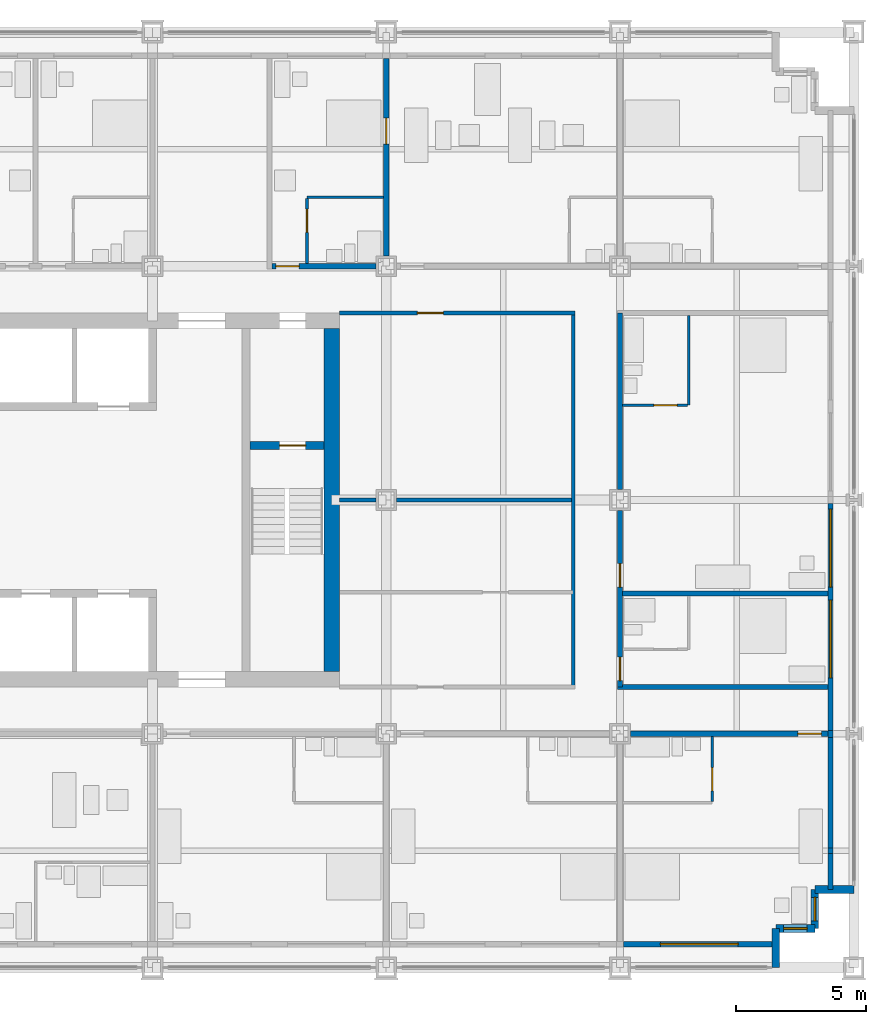
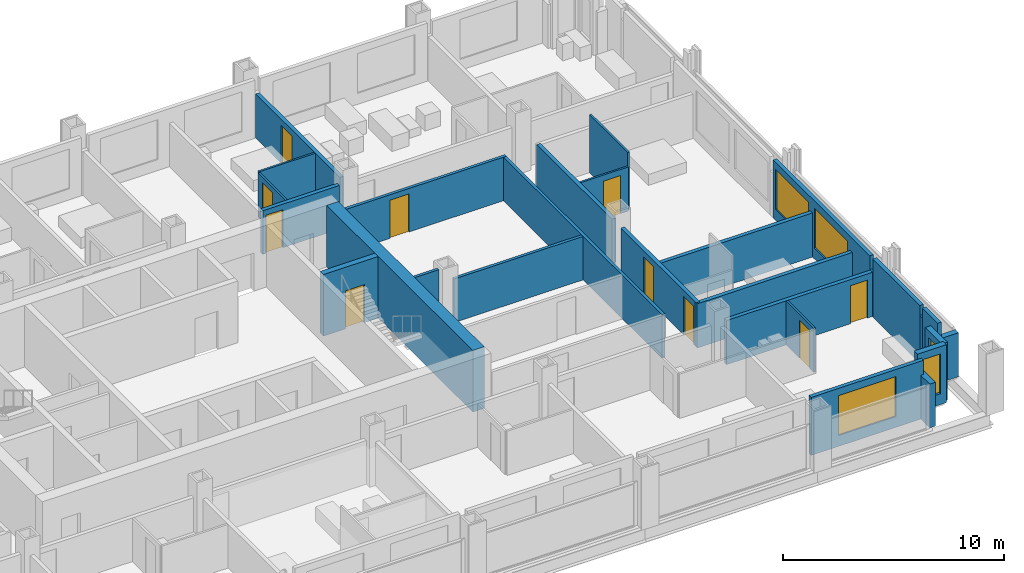
# One storey, part 13 of 18: 28 walls, 10 doors, 5 windows, 15 openings.
"""IFC4 building model written with IfcOpenShell, lengths in metres."""

from ifc_helpers import new_model, si_unit, direction, frame, frame_2d, origin, place, context, subcontext, project, spatial, rectangle, extrude, material, layer, layer_set, type_object, element, fill, save


model = new_model("IFC4")

# Units and contexts
model_context = context("Model", 3, precision=1e-05, world=origin(), true_north=direction((0.0, 1.0)))
body_context = subcontext(model_context, "Body", "Model", "MODEL_VIEW")
ifc_project = project(units=[si_unit("LENGTHUNIT", "METRE"), si_unit("AREAUNIT", "SQUARE_METRE"), si_unit("VOLUMEUNIT", "CUBIC_METRE"), si_unit("PLANEANGLEUNIT", "RADIAN"), si_unit("MASSUNIT", "GRAM", prefix="KILO")], contexts=[model_context])

# Site, building, storey
site_placement = place(None, origin())
site = spatial("IfcSite", under=ifc_project, at=site_placement, CompositionType="ELEMENT")
building_placement = place(site_placement, origin())
building = spatial("IfcBuilding", under=site, at=building_placement, Name="Loomwork Tower", CompositionType="ELEMENT")
storey_placement = place(building_placement, frame((0.0, 0.0, 45.0)))
storey = spatial("IfcBuildingStorey", under=building, at=storey_placement, Name="L10", CompositionType="ELEMENT", Elevation=45.0)

# Wall, opening, door
ifc_material_1 = material(Name="Concrete 14000 psi (97 MPa)", Category="concrete")
ifc_layer_1 = layer(ifc_material_1, 0.300048828125)
ifc_layer_set_1 = layer_set([ifc_layer_1], Name="Core shear wall 300")
wall_type_1 = type_object("IfcWallType", Name="Core shear wall 300", PredefinedType="SHEAR", material=ifc_layer_set_1)
wall_1_placement = place(storey_placement, frame((30.75, 20.10009765625, 0.0), z_axis=(0.0, 0.0, 1.0), x_axis=(1.0, 0.0, 0.0)))
wall_1 = element("IfcWall", 1, at=wall_1_placement, inside=storey, type_object=wall_type_1, Name="Stair B north wall L10", PredefinedType="SHEAR", context=body_context, shape_type="SweptSolid", body=[
    extrude(rectangle(XDim=2.85009765625, YDim=0.300048828125, at=frame_2d((1.425048828125, 0.0))), origin(), (0.0, 0.0, 1.0), 3.39990234375),
])
opening_1_placement = place(wall_1_placement, frame((1.14990234375, 0.0, 0.0)))
opening_1 = element("IfcOpeningElement", 2, at=opening_1_placement, cuts=wall_1, Name="Opening D4", PredefinedType="OPENING", context=body_context, shape_type="SweptSolid", body=[
    extrude(rectangle(XDim=1.0, YDim=2.10009765625, at=frame_2d((0.5, 1.050048828125))), frame((0.0, 0.159912109375, 0.0), z_axis=(0.0, -1.0, 0.0), x_axis=(1.0, 0.0, 0.0)), (0.0, 0.0, 1.0), 0.320068359375),
])
ifc_material_2 = material(Name="Hollow metal door and frame")
door_type_1 = type_object("IfcDoorType", Name="Stair door 1000", OperationType="SINGLE_SWING_RIGHT", PredefinedType="DOOR", material=ifc_material_2)
door_1_placement = place(opening_1_placement, frame((1.0, 0.0, 0.0), z_axis=(0.0, 0.0, 1.0), x_axis=(-1.0, 0.0, 0.0)))
door_1 = element("IfcDoor", 3, at=door_1_placement, inside=storey, type_object=door_type_1, Name="Stair B door", OperationType="SINGLE_SWING_LEFT", OverallHeight=2.10009765625, OverallWidth=1.0, PredefinedType="DOOR", context=body_context, shape_type="SweptSolid", body=[
    extrude(rectangle(XDim=1.0, YDim=2.10009765625, at=frame_2d((0.5, 1.050048828125))), frame((0.0, 0.02490234375, 0.0), z_axis=(0.0, -1.0, 0.0), x_axis=(1.0, 0.0, 0.0)), (0.0, 0.0, 1.0), 0.050048828125),
])
fill(opening_1, door_1)

# Wall
ifc_material_3 = material(Name="Concrete 14000 psi (97 MPa)", Category="concrete")
ifc_layer_2 = layer(ifc_material_3, 0.60009765625)
ifc_layer_set_2 = layer_set([ifc_layer_2], Name="Core shear wall 600")
wall_type_2 = type_object("IfcWallType", Name="Core shear wall 600", PredefinedType="SHEAR", material=ifc_layer_set_2)
wall_2_placement = place(storey_placement, frame((33.89990234375, 11.39990234375, 0.0), z_axis=(0.0, 0.0, 1.0), x_axis=(0.0, 1.0, 0.0)))
element("IfcWall", 4, at=wall_2_placement, inside=storey, type_object=wall_type_2, Name="Core wall east L10", PredefinedType="SHEAR", context=body_context, shape_type="SweptSolid", body=[
    extrude(rectangle(XDim=13.2001953125, YDim=0.60009765625, at=frame_2d((6.60009765625, 0.0))), origin(), (0.0, 0.0, 1.0), 3.39990234375),
])

# Wall, opening, door
ifc_material_4 = material(Name="Gypsum board on steel studs, one-hour", Category="steel")
ifc_layer_3 = layer(ifc_material_4, 0.199951171875)
ifc_layer_set_3 = layer_set([ifc_layer_3], Name="Corridor wall 200")
wall_type_3 = type_object("IfcWallType", Name="Corridor wall 200", PredefinedType="PARTITIONING", material=ifc_layer_set_3)
wall_3_placement = place(storey_placement, frame((45.39990234375, 9.0, 0.0), z_axis=(0.0, 0.0, 1.0), x_axis=(1.0, 0.0, 0.0)))
wall_3 = element("IfcWall", 5, at=wall_3_placement, inside=storey, type_object=wall_type_3, Name="South corridor wall 6", PredefinedType="PARTITIONING", context=body_context, shape_type="SweptSolid", body=[
    extrude(rectangle(XDim=7.60009765625, YDim=0.199951171875, at=frame_2d((3.800048828125, 0.0))), origin(), (0.0, 0.0, 1.0), 2.43798828125),
])
opening_2_placement = place(wall_3_placement, frame((6.449951171875, 0.0, 0.0)))
opening_2 = element("IfcOpeningElement", 6, at=opening_2_placement, cuts=wall_3, Name="Opening D1", PredefinedType="OPENING", context=body_context, shape_type="SweptSolid", body=[
    extrude(rectangle(XDim=0.89990234375, YDim=2.10009765625, at=frame_2d((0.449951171875, 1.050048828125))), frame((0.0, 0.10986328125, 0.0), z_axis=(0.0, -1.0, 0.0), x_axis=(1.0, 0.0, 0.0)), (0.0, 0.0, 1.0), 0.219970703125),
])
ifc_material_5 = material(Name="Hollow metal door and frame")
door_type_2 = type_object("IfcDoorType", Name="Guest room entry door 900", OperationType="SINGLE_SWING_LEFT", PredefinedType="DOOR", material=ifc_material_5)
door_2_placement = place(opening_2_placement, frame((0.89990234375, 0.0, 0.0), z_axis=(0.0, 0.0, 1.0), x_axis=(-1.0, 0.0, 0.0)))
door_2 = element("IfcDoor", 7, at=door_2_placement, inside=storey, type_object=door_type_2, Name="Guest room entry door L10 6", OperationType="SINGLE_SWING_LEFT", OverallHeight=2.10009765625, OverallWidth=0.89990234375, PredefinedType="DOOR", context=body_context, shape_type="SweptSolid", body=[
    extrude(rectangle(XDim=0.89990234375, YDim=2.10009765625, at=frame_2d((0.449951171875, 1.050048828125))), frame((0.0, 0.02490234375, 0.0), z_axis=(0.0, -1.0, 0.0), x_axis=(1.0, 0.0, 0.0)), (0.0, 0.0, 1.0), 0.050048828125),
])
fill(opening_2, door_2)

wall_4_placement = place(storey_placement, frame((31.60009765625, 27.0, 0.0), z_axis=(0.0, 0.0, 1.0), x_axis=(1.0, 0.0, 0.0)))
wall_4 = element("IfcWall", 8, at=wall_4_placement, inside=storey, type_object=wall_type_3, Name="North corridor wall 4", PredefinedType="PARTITIONING", context=body_context, shape_type="SweptSolid", body=[
    extrude(rectangle(XDim=4.0, YDim=0.199951171875, at=frame_2d((2.0, 0.0))), origin(), (0.0, 0.0, 1.0), 2.405029296875),
])
opening_3_placement = place(wall_4_placement, frame((0.14990234375, 0.0, 0.0)))
opening_3 = element("IfcOpeningElement", 9, at=opening_3_placement, cuts=wall_4, Name="Opening D1", PredefinedType="OPENING", context=body_context, shape_type="SweptSolid", body=[
    extrude(rectangle(XDim=0.89990234375, YDim=2.10009765625, at=frame_2d((0.449951171875, 1.050048828125))), frame((0.0, 0.10986328125, 0.0), z_axis=(0.0, -1.0, 0.0), x_axis=(1.0, 0.0, 0.0)), (0.0, 0.0, 1.0), 0.219970703125),
])
door_3_placement = place(opening_3_placement, origin())
door_3 = element("IfcDoor", 10, at=door_3_placement, inside=storey, type_object=door_type_2, Name="Guest room entry door L10 11", OperationType="SINGLE_SWING_LEFT", OverallHeight=2.10009765625, OverallWidth=0.89990234375, PredefinedType="DOOR", context=body_context, shape_type="SweptSolid", body=[
    extrude(rectangle(XDim=0.89990234375, YDim=2.10009765625, at=frame_2d((0.449951171875, 1.050048828125))), frame((0.0, 0.02490234375, 0.0), z_axis=(0.0, -1.0, 0.0), x_axis=(1.0, 0.0, 0.0)), (0.0, 0.0, 1.0), 0.050048828125),
])
fill(opening_3, door_3)

# Wall, openings, doors
wall_5_placement = place(storey_placement, frame((45.0, 10.800048828125, 0.0), z_axis=(0.0, 0.0, 1.0), x_axis=(0.0, 1.0, 0.0)))
wall_5 = element("IfcWall", 11, at=wall_5_placement, inside=storey, type_object=wall_type_3, Name="East corridor wall 1", PredefinedType="PARTITIONING", context=body_context, shape_type="SweptSolid", body=[
    extrude(rectangle(XDim=6.800048828125, YDim=0.199951171875, at=frame_2d((3.39990234375, 0.0))), origin(), (0.0, 0.0, 1.0), 2.43798828125),
])
opening_4_placement = place(wall_5_placement, frame((0.25, 0.0, 0.0)))
opening_4 = element("IfcOpeningElement", 12, at=opening_4_placement, cuts=wall_5, Name="Opening D1", PredefinedType="OPENING", context=body_context, shape_type="SweptSolid", body=[
    extrude(rectangle(XDim=0.89990234375, YDim=2.10009765625, at=frame_2d((0.449951171875, 1.050048828125))), frame((0.0, 0.10986328125, 0.0), z_axis=(0.0, -1.0, 0.0), x_axis=(1.0, 0.0, 0.0)), (0.0, 0.0, 1.0), 0.219970703125),
])
opening_5_placement = place(wall_5_placement, frame((3.85009765625, 0.0, 0.0)))
opening_5 = element("IfcOpeningElement", 13, at=opening_5_placement, cuts=wall_5, Name="Opening D1", PredefinedType="OPENING", context=body_context, shape_type="SweptSolid", body=[
    extrude(rectangle(XDim=0.89990234375, YDim=2.10009765625, at=frame_2d((0.449951171875, 1.050048828125))), frame((0.0, 0.10986328125, 0.0), z_axis=(0.0, -1.0, 0.0), x_axis=(1.0, 0.0, 0.0)), (0.0, 0.0, 1.0), 0.219970703125),
])
door_4_placement = place(opening_4_placement, frame((0.89990234375, 0.0, 0.0), z_axis=(0.0, 0.0, 1.0), x_axis=(-1.0, 0.0, 0.0)))
door_4 = element("IfcDoor", 14, at=door_4_placement, inside=storey, type_object=door_type_2, Name="Guest room entry door L10 16", OperationType="SINGLE_SWING_RIGHT", OverallHeight=2.10009765625, OverallWidth=0.89990234375, PredefinedType="DOOR", context=body_context, shape_type="SweptSolid", body=[
    extrude(rectangle(XDim=0.89990234375, YDim=2.10009765625, at=frame_2d((0.449951171875, 1.050048828125))), frame((0.0, 0.02490234375, 0.0), z_axis=(0.0, -1.0, 0.0), x_axis=(1.0, 0.0, 0.0)), (0.0, 0.0, 1.0), 0.050048828125),
])
fill(opening_4, door_4)
door_5_placement = place(opening_5_placement, frame((0.89990234375, 0.0, 0.0), z_axis=(0.0, 0.0, 1.0), x_axis=(-1.0, 0.0, 0.0)))
door_5 = element("IfcDoor", 15, at=door_5_placement, inside=storey, type_object=door_type_2, Name="Guest room entry door L10 17", OperationType="SINGLE_SWING_RIGHT", OverallHeight=2.10009765625, OverallWidth=0.89990234375, PredefinedType="DOOR", context=body_context, shape_type="SweptSolid", body=[
    extrude(rectangle(XDim=0.89990234375, YDim=2.10009765625, at=frame_2d((0.449951171875, 1.050048828125))), frame((0.0, 0.02490234375, 0.0), z_axis=(0.0, -1.0, 0.0), x_axis=(1.0, 0.0, 0.0)), (0.0, 0.0, 1.0), 0.050048828125),
])
fill(opening_5, door_5)

# Walls
wall_6_placement = place(storey_placement, frame((45.0, 18.39990234375, 0.0), z_axis=(0.0, 0.0, 1.0), x_axis=(0.0, 1.0, 0.0)))
element("IfcWall", 16, at=wall_6_placement, inside=storey, type_object=wall_type_3, Name="East corridor wall 2", PredefinedType="PARTITIONING", context=body_context, shape_type="SweptSolid", body=[
    extrude(rectangle(XDim=6.800048828125, YDim=0.199951171875, at=frame_2d((3.39990234375, 0.0))), origin(), (0.0, 0.0, 1.0), 2.43798828125),
])
wall_7_placement = place(storey_placement, frame((44.89990234375, 10.800048828125, 0.0), z_axis=(0.0, 0.0, 1.0), x_axis=(1.0, 0.0, 0.0)))
element("IfcWall", 17, at=wall_7_placement, inside=storey, type_object=wall_type_3, Name="East band end wall S", PredefinedType="PARTITIONING", context=body_context, shape_type="SweptSolid", body=[
    extrude(rectangle(XDim=8.10009765625, YDim=0.199951171875, at=frame_2d((4.050048828125, 0.0))), origin(), (0.0, 0.0, 1.0), 2.43798828125),
])

# Wall, opening, door
ifc_material_6 = material(Name="Cement board on steel studs", Category="steel")
ifc_layer_4 = layer(ifc_material_6, 0.10009765625)
ifc_layer_set_4 = layer_set([ifc_layer_4], Name="En-suite partition 100")
wall_type_4 = type_object("IfcWallType", Name="En-suite partition 100", PredefinedType="PARTITIONING", material=ifc_layer_set_4)
wall_8_placement = place(storey_placement, frame((48.550048828125, 8.89990234375, 0.0), z_axis=(0.0, 0.0, 1.0), x_axis=(0.0, -1.0, 0.0)))
wall_8 = element("IfcWall", 18, at=wall_8_placement, inside=storey, type_object=wall_type_4, Name="En-suite side wall L10 room 6", PredefinedType="PARTITIONING", context=body_context, shape_type="SweptSolid", body=[
    extrude(rectangle(XDim=2.5, YDim=0.10009765625, at=frame_2d((1.25, 0.0))), origin(), (0.0, 0.0, 1.0), 2.43798828125),
])
opening_6_placement = place(wall_8_placement, frame((1.199951171875, 0.0, 0.0)))
opening_6 = element("IfcOpeningElement", 19, at=opening_6_placement, cuts=wall_8, Name="Opening D2", PredefinedType="OPENING", context=body_context, shape_type="SweptSolid", body=[
    extrude(rectangle(XDim=0.89990234375, YDim=2.10009765625, at=frame_2d((0.449951171875, 1.050048828125))), frame((0.0, 0.06005859375, 0.0), z_axis=(0.0, -1.0, 0.0), x_axis=(1.0, 0.0, 0.0)), (0.0, 0.0, 1.0), 0.1201171875),
])
ifc_material_7 = material(Name="Hollow metal door and frame")
door_type_3 = type_object("IfcDoorType", Name="En-suite door 900", OperationType="SINGLE_SWING_LEFT", PredefinedType="DOOR", material=ifc_material_7)
door_6_placement = place(opening_6_placement, frame((0.89990234375, 0.0, 0.0), z_axis=(0.0, 0.0, 1.0), x_axis=(-1.0, 0.0, 0.0)))
door_6 = element("IfcDoor", 20, at=door_6_placement, inside=storey, type_object=door_type_3, Name="En-suite door room 6", OperationType="SINGLE_SWING_LEFT", OverallHeight=2.10009765625, OverallWidth=0.89990234375, PredefinedType="DOOR", context=body_context, shape_type="SweptSolid", body=[
    extrude(rectangle(XDim=0.89990234375, YDim=2.10009765625, at=frame_2d((0.449951171875, 1.050048828125))), frame((0.0, 0.02490234375, 0.0), z_axis=(0.0, -1.0, 0.0), x_axis=(1.0, 0.0, 0.0)), (0.0, 0.0, 1.0), 0.050048828125),
])
fill(opening_6, door_6)

# Wall
wall_9_placement = place(storey_placement, frame((32.949951171875, 29.64990234375, 0.0), z_axis=(0.0, 0.0, 1.0), x_axis=(1.0, 0.0, 0.0)))
element("IfcWall", 21, at=wall_9_placement, inside=storey, type_object=wall_type_4, Name="En-suite wall L10 room 11", PredefinedType="PARTITIONING", context=body_context, shape_type="SweptSolid", body=[
    extrude(rectangle(XDim=2.949951171875, YDim=0.10009765625, at=frame_2d((1.47509765625, 0.0))), origin(), (0.0, 0.0, 1.0), 2.43798828125),
])

# Wall, opening, door
wall_10_placement = place(storey_placement, frame((32.949951171875, 27.10009765625, 0.0), z_axis=(0.0, 0.0, 1.0), x_axis=(0.0, 1.0, 0.0)))
wall_10 = element("IfcWall", 22, at=wall_10_placement, inside=storey, type_object=wall_type_4, Name="En-suite side wall L10 room 11", PredefinedType="PARTITIONING", context=body_context, shape_type="SweptSolid", body=[
    extrude(rectangle(XDim=2.5, YDim=0.10009765625, at=frame_2d((1.25, 0.0))), origin(), (0.0, 0.0, 1.0), 2.404052734375),
])
opening_7_placement = place(wall_10_placement, frame((1.199951171875, 0.0, 0.0)))
opening_7 = element("IfcOpeningElement", 23, at=opening_7_placement, cuts=wall_10, Name="Opening D2", PredefinedType="OPENING", context=body_context, shape_type="SweptSolid", body=[
    extrude(rectangle(XDim=0.89990234375, YDim=2.10009765625, at=frame_2d((0.449951171875, 1.050048828125))), frame((0.0, 0.06005859375, 0.0), z_axis=(0.0, -1.0, 0.0), x_axis=(1.0, 0.0, 0.0)), (0.0, 0.0, 1.0), 0.1201171875),
])
door_7_placement = place(opening_7_placement, frame((0.89990234375, 0.0, 0.0), z_axis=(0.0, 0.0, 1.0), x_axis=(-1.0, 0.0, 0.0)))
door_7 = element("IfcDoor", 24, at=door_7_placement, inside=storey, type_object=door_type_3, Name="En-suite door room 11", OperationType="SINGLE_SWING_LEFT", OverallHeight=2.10009765625, OverallWidth=0.89990234375, PredefinedType="DOOR", context=body_context, shape_type="SweptSolid", body=[
    extrude(rectangle(XDim=0.89990234375, YDim=2.10009765625, at=frame_2d((0.449951171875, 1.050048828125))), frame((0.0, 0.02490234375, 0.0), z_axis=(0.0, -1.0, 0.0), x_axis=(1.0, 0.0, 0.0)), (0.0, 0.0, 1.0), 0.050048828125),
])
fill(opening_7, door_7)

# Wall
wall_11_placement = place(storey_placement, frame((47.64990234375, 21.64990234375, 0.0), z_axis=(0.0, 0.0, 1.0), x_axis=(0.0, 1.0, 0.0)))
element("IfcWall", 25, at=wall_11_placement, inside=storey, type_object=wall_type_4, Name="En-suite wall L10 room 17", PredefinedType="PARTITIONING", context=body_context, shape_type="SweptSolid", body=[
    extrude(rectangle(XDim=3.4501953125, YDim=0.10009765625, at=frame_2d((1.72509765625, 0.0))), origin(), (0.0, 0.0, 1.0), 3.199951171875),
])

# Wall, opening, door
wall_12_placement = place(storey_placement, frame((45.10009765625, 21.64990234375, 0.0), z_axis=(0.0, 0.0, 1.0), x_axis=(1.0, 0.0, 0.0)))
wall_12 = element("IfcWall", 26, at=wall_12_placement, inside=storey, type_object=wall_type_4, Name="En-suite side wall L10 room 17", PredefinedType="PARTITIONING", context=body_context, shape_type="SweptSolid", body=[
    extrude(rectangle(XDim=2.5, YDim=0.10009765625, at=frame_2d((1.25, 0.0))), origin(), (0.0, 0.0, 1.0), 2.43798828125),
])
opening_8_placement = place(wall_12_placement, frame((1.199951171875, 0.0, 0.0)))
opening_8 = element("IfcOpeningElement", 27, at=opening_8_placement, cuts=wall_12, Name="Opening D2", PredefinedType="OPENING", context=body_context, shape_type="SweptSolid", body=[
    extrude(rectangle(XDim=0.89990234375, YDim=2.10009765625, at=frame_2d((0.449951171875, 1.050048828125))), frame((0.0, 0.06005859375, 0.0), z_axis=(0.0, -1.0, 0.0), x_axis=(1.0, 0.0, 0.0)), (0.0, 0.0, 1.0), 0.1201171875),
])
door_8_placement = place(opening_8_placement, origin())
door_8 = element("IfcDoor", 28, at=door_8_placement, inside=storey, type_object=door_type_3, Name="En-suite door room 17", OperationType="SINGLE_SWING_RIGHT", OverallHeight=2.10009765625, OverallWidth=0.89990234375, PredefinedType="DOOR", context=body_context, shape_type="SweptSolid", body=[
    extrude(rectangle(XDim=0.89990234375, YDim=2.10009765625, at=frame_2d((0.449951171875, 1.050048828125))), frame((0.0, 0.02490234375, 0.0), z_axis=(0.0, -1.0, 0.0), x_axis=(1.0, 0.0, 0.0)), (0.0, 0.0, 1.0), 0.050048828125),
])
fill(opening_8, door_8)

ifc_material_8 = material(Name="Gypsum board on steel studs, acoustic", Category="steel")
ifc_layer_5 = layer(ifc_material_8, 0.199951171875)
ifc_layer_set_5 = layer_set([ifc_layer_5], Name="Guest room party wall 200")
wall_type_5 = type_object("IfcWallType", Name="Guest room party wall 200", PredefinedType="PARTITIONING", material=ifc_layer_set_5)
wall_13_placement = place(storey_placement, frame((36.0, 27.39990234375, 0.0), z_axis=(0.0, 0.0, 1.0), x_axis=(0.0, 1.0, 0.0)))
wall_13 = element("IfcWall", 29, at=wall_13_placement, inside=storey, type_object=wall_type_5, Name="Guest room party wall N 36", PredefinedType="PARTITIONING", context=body_context, shape_type="SweptSolid", body=[
    extrude(rectangle(XDim=7.60009765625, YDim=0.199951171875, at=frame_2d((3.800048828125, 0.0))), origin(), (0.0, 0.0, 1.0), 2.43798828125),
])
opening_9_placement = place(wall_13_placement, frame((4.300048828125, 0.0, 0.0)))
opening_9 = element("IfcOpeningElement", 30, at=opening_9_placement, cuts=wall_13, Name="Opening D7", PredefinedType="OPENING", context=body_context, shape_type="SweptSolid", body=[
    extrude(rectangle(XDim=1.0, YDim=2.10009765625, at=frame_2d((0.5, 1.050048828125))), frame((0.0, 0.10986328125, 0.0), z_axis=(0.0, -1.0, 0.0), x_axis=(1.0, 0.0, 0.0)), (0.0, 0.0, 1.0), 0.219970703125),
])
ifc_material_9 = material(Name="Hollow metal door and frame")
door_type_4 = type_object("IfcDoorType", Name="Room door 1000", OperationType="SINGLE_SWING_LEFT", PredefinedType="DOOR", material=ifc_material_9)
door_9_placement = place(opening_9_placement, origin())
door_9 = element("IfcDoor", 31, at=door_9_placement, inside=storey, type_object=door_type_4, Name="Suite connecting door L10 N 36", OperationType="SINGLE_SWING_LEFT", OverallHeight=2.10009765625, OverallWidth=1.0, PredefinedType="DOOR", context=body_context, shape_type="SweptSolid", body=[
    extrude(rectangle(XDim=1.0, YDim=2.10009765625, at=frame_2d((0.5, 1.050048828125))), frame((0.0, 0.02490234375, 0.0), z_axis=(0.0, -1.0, 0.0), x_axis=(1.0, 0.0, 0.0)), (0.0, 0.0, 1.0), 0.050048828125),
])
fill(opening_9, door_9)

# Walls
wall_14_placement = place(storey_placement, frame((45.10009765625, 14.39990234375, 0.0), z_axis=(0.0, 0.0, 1.0), x_axis=(1.0, 0.0, 0.0)))
element("IfcWall", 32, at=wall_14_placement, inside=storey, type_object=wall_type_5, Name="Guest room party wall E 14.4", PredefinedType="PARTITIONING", context=body_context, shape_type="SweptSolid", body=[
    extrude(rectangle(XDim=7.89990234375, YDim=0.199951171875, at=frame_2d((3.949951171875, 0.0))), origin(), (0.0, 0.0, 1.0), 2.43798828125),
])
ifc_material_10 = material(Name="Insulated steel stud wall with gypsum lining", Category="steel")
ifc_layer_6 = layer(ifc_material_10, 0.199951171875)
ifc_layer_set_6 = layer_set([ifc_layer_6], Name="Inner skin wall 200")
wall_type_6 = type_object("IfcWallType", Name="Inner skin wall 200", PredefinedType="SOLIDWALL", material=ifc_layer_set_6)
wall_15_placement = place(storey_placement, frame((53.10009765625, 3.0, 0.0), z_axis=(0.0, 0.0, 1.0), x_axis=(0.0, 1.0, 0.0)))
element("IfcWall", 33, at=wall_15_placement, inside=storey, type_object=wall_type_6, Name="Inner skin wall E", PredefinedType="SOLIDWALL", context=body_context, shape_type="SweptSolid", body=[
    extrude(rectangle(XDim=1.392578125, YDim=0.199951171875, at=frame_2d((0.6962890625, 0.0))), origin(), (0.0, 0.0, 1.0), 3.199951171875),
])

# Wall, opening, window
wall_16_placement = place(storey_placement, frame((45.135498046875, 0.89990234375, 0.0), z_axis=(0.0, 0.0, 1.0), x_axis=(1.0, 0.0, 0.0)))
wall_16 = element("IfcWall", 34, at=wall_16_placement, inside=storey, type_object=wall_type_6, Name="Inner skin wall S bay 11", PredefinedType="SOLIDWALL", context=body_context, shape_type="SweptSolid", body=[
    extrude(rectangle(XDim=5.864501953125, YDim=0.199951171875, at=frame_2d((2.93212890625, 0.0))), origin(), (0.0, 0.0, 1.0), 3.199951171875),
])
opening_10_placement = place(wall_16_placement, frame((1.41455078125, 0.0, 0.60009765625)))
opening_10 = element("IfcOpeningElement", 35, at=opening_10_placement, cuts=wall_16, Name="Opening CH1", PredefinedType="OPENING", context=body_context, shape_type="SweptSolid", body=[
    extrude(rectangle(XDim=3.0, YDim=2.199951171875, at=frame_2d((1.5, 1.10009765625))), frame((0.0, 0.10986328125, 0.0), z_axis=(0.0, -1.0, 0.0), x_axis=(1.0, 0.0, 0.0)), (0.0, 0.0, 1.0), 0.219970703125),
])
ifc_material_11 = material(Name="Aluminium frame with clear insulated glass", Category="aluminium")
window_type_1 = type_object("IfcWindowType", Name="Chicago window 3000", PartitioningType="TRIPLE_PANEL_VERTICAL", PredefinedType="WINDOW", material=ifc_material_11)
window_1_placement = place(opening_10_placement, origin())
window_1 = element("IfcWindow", 36, at=window_1_placement, inside=storey, type_object=window_type_1, Name="Chicago window L10 bay 6", OverallHeight=2.199951171875, OverallWidth=3.0, PartitioningType="TRIPLE_PANEL_VERTICAL", PredefinedType="WINDOW", context=body_context, shape_type="SweptSolid", body=[
    extrude(rectangle(XDim=3.0, YDim=2.199951171875, at=frame_2d((1.5, 1.10009765625))), frame((0.0, 0.030029296875, 0.0), z_axis=(0.0, -1.0, 0.0), x_axis=(1.0, 0.0, 0.0)), (0.0, 0.0, 1.0), 0.06005859375),
])
fill(opening_10, window_1)

# Walls
wall_17_placement = place(storey_placement, frame((53.10009765625, 4.392578125, 0.0), z_axis=(0.0, 0.0, 1.0), x_axis=(0.0, 1.0, 0.0)))
element("IfcWall", 37, at=wall_17_placement, inside=storey, type_object=wall_type_6, Name="Inner skin wall E bay 2", PredefinedType="SOLIDWALL", context=body_context, shape_type="SweptSolid", body=[
    extrude(rectangle(XDim=0.21484375, YDim=0.199951171875, at=frame_2d((0.107421875, 0.0))), origin(), (0.0, 0.0, 1.0), 2.660888671875),
])
wall_18_placement = place(storey_placement, frame((53.10009765625, 4.607421875, 0.0), z_axis=(0.0, 0.0, 1.0), x_axis=(0.0, 1.0, 0.0)))
element("IfcWall", 38, at=wall_18_placement, inside=storey, type_object=wall_type_6, Name="Inner skin wall E bay 3", PredefinedType="SOLIDWALL", context=body_context, shape_type="SweptSolid", body=[
    extrude(rectangle(XDim=4.25732421875, YDim=0.199951171875, at=frame_2d((2.128662109375, 0.0))), origin(), (0.0, 0.0, 1.0), 3.199951171875),
])
wall_19_placement = place(storey_placement, frame((53.10009765625, 8.86474609375, 0.0), z_axis=(0.0, 0.0, 1.0), x_axis=(0.0, 1.0, 0.0)))
element("IfcWall", 39, at=wall_19_placement, inside=storey, type_object=wall_type_6, Name="Inner skin wall E bay 4", PredefinedType="SOLIDWALL", context=body_context, shape_type="SweptSolid", body=[
    extrude(rectangle(XDim=0.2705078125, YDim=0.199951171875, at=frame_2d((0.13525390625, 0.0))), origin(), (0.0, 0.0, 1.0), 2.43798828125),
])

# Wall, openings, windows
wall_20_placement = place(storey_placement, frame((53.10009765625, 9.13525390625, 0.0), z_axis=(0.0, 0.0, 1.0), x_axis=(0.0, 1.0, 0.0)))
wall_20 = element("IfcWall", 40, at=wall_20_placement, inside=storey, type_object=wall_type_6, Name="Inner skin wall E bay 5", PredefinedType="SOLIDWALL", context=body_context, shape_type="SweptSolid", body=[
    extrude(rectangle(XDim=8.729248046875, YDim=0.199951171875, at=frame_2d((4.36474609375, 0.0))), origin(), (0.0, 0.0, 1.0), 3.199951171875),
])
opening_11_placement = place(wall_20_placement, frame((2.0146484375, 0.0, 0.60009765625)))
opening_11 = element("IfcOpeningElement", 41, at=opening_11_placement, cuts=wall_20, Name="Opening CH1", PredefinedType="OPENING", context=body_context, shape_type="SweptSolid", body=[
    extrude(rectangle(XDim=3.0, YDim=2.199951171875, at=frame_2d((1.5, 1.10009765625))), frame((0.0, 0.10986328125, 0.0), z_axis=(0.0, -1.0, 0.0), x_axis=(1.0, 0.0, 0.0)), (0.0, 0.0, 1.0), 0.219970703125),
])
opening_12_placement = place(wall_20_placement, frame((5.5146484375, 0.0, 0.60009765625)))
opening_12 = element("IfcOpeningElement", 42, at=opening_12_placement, cuts=wall_20, Name="Opening CH1", PredefinedType="OPENING", context=body_context, shape_type="SweptSolid", body=[
    extrude(rectangle(XDim=3.0, YDim=2.199951171875, at=frame_2d((1.5, 1.10009765625))), frame((0.0, 0.10986328125, 0.0), z_axis=(0.0, -1.0, 0.0), x_axis=(1.0, 0.0, 0.0)), (0.0, 0.0, 1.0), 0.219970703125),
])
window_2_placement = place(opening_11_placement, origin())
window_2 = element("IfcWindow", 43, at=window_2_placement, inside=storey, type_object=window_type_1, Name="Chicago window L10 bay 15", OverallHeight=2.199951171875, OverallWidth=3.0, PartitioningType="TRIPLE_PANEL_VERTICAL", PredefinedType="WINDOW", context=body_context, shape_type="SweptSolid", body=[
    extrude(rectangle(XDim=3.0, YDim=2.199951171875, at=frame_2d((1.5, 1.10009765625))), frame((0.0, 0.030029296875, 0.0), z_axis=(0.0, -1.0, 0.0), x_axis=(1.0, 0.0, 0.0)), (0.0, 0.0, 1.0), 0.06005859375),
])
fill(opening_11, window_2)
window_3_placement = place(opening_12_placement, origin())
window_3 = element("IfcWindow", 44, at=window_3_placement, inside=storey, type_object=window_type_1, Name="Chicago window L10 bay 15", OverallHeight=2.199951171875, OverallWidth=3.0, PartitioningType="TRIPLE_PANEL_VERTICAL", PredefinedType="WINDOW", context=body_context, shape_type="SweptSolid", body=[
    extrude(rectangle(XDim=3.0, YDim=2.199951171875, at=frame_2d((1.5, 1.10009765625))), frame((0.0, 0.030029296875, 0.0), z_axis=(0.0, -1.0, 0.0), x_axis=(1.0, 0.0, 0.0)), (0.0, 0.0, 1.0), 0.06005859375),
])
fill(opening_12, window_3)

# Wall
ifc_material_12 = material(Name="Limestone on concrete masonry", Category="masonry")
ifc_layer_7 = layer(ifc_material_12, 0.300048828125)
ifc_layer_set_7 = layer_set([ifc_layer_7], Name="Limestone corner wall 300")
wall_type_7 = type_object("IfcWallType", Name="Limestone corner wall 300", PredefinedType="SOLIDWALL", material=ifc_layer_set_7)
wall_21_placement = place(storey_placement, frame((51.0, 0.0, 0.0), z_axis=(0.0, 0.0, 1.0), x_axis=(0.0, 1.0, 0.0)))
element("IfcWall", 45, at=wall_21_placement, inside=storey, type_object=wall_type_7, Name="Stone corner wall SE 1", PredefinedType="SOLIDWALL", context=body_context, shape_type="SweptSolid", body=[
    extrude(rectangle(XDim=1.5, YDim=0.300048828125, at=frame_2d((0.75, 0.0))), origin(), (0.0, 0.0, 1.0), 2.419921875),
])

# Wall, opening, window
wall_22_placement = place(storey_placement, frame((51.0, 1.5, 0.0), z_axis=(0.0, 0.0, 1.0), x_axis=(1.0, 0.0, 0.0)))
wall_22 = element("IfcWall", 46, at=wall_22_placement, inside=storey, type_object=wall_type_7, Name="Stone corner wall SE 2", PredefinedType="SOLIDWALL", context=body_context, shape_type="SweptSolid", body=[
    extrude(rectangle(XDim=1.5, YDim=0.300048828125, at=frame_2d((0.75, 0.0))), origin(), (0.0, 0.0, 1.0), 3.199951171875),
])
opening_13_placement = place(wall_22_placement, frame((0.300048828125, 0.0, 0.60009765625)))
opening_13 = element("IfcOpeningElement", 47, at=opening_13_placement, cuts=wall_22, Name="Opening CH2", PredefinedType="OPENING", context=body_context, shape_type="SweptSolid", body=[
    extrude(rectangle(XDim=0.89990234375, YDim=2.199951171875, at=frame_2d((0.449951171875, 1.10009765625))), frame((0.0, 0.159912109375, 0.0), z_axis=(0.0, -1.0, 0.0), x_axis=(1.0, 0.0, 0.0)), (0.0, 0.0, 1.0), 0.320068359375),
])
ifc_material_13 = material(Name="Aluminium frame with clear insulated glass", Category="aluminium")
window_type_2 = type_object("IfcWindowType", Name="Corner window 900", PartitioningType="SINGLE_PANEL", PredefinedType="WINDOW", material=ifc_material_13)
window_4_placement = place(opening_13_placement, origin())
window_4 = element("IfcWindow", 48, at=window_4_placement, inside=storey, type_object=window_type_2, Name="Corner window SE", OverallHeight=2.199951171875, OverallWidth=0.89990234375, PartitioningType="SINGLE_PANEL", PredefinedType="WINDOW", context=body_context, shape_type="SweptSolid", body=[
    extrude(rectangle(XDim=0.89990234375, YDim=2.199951171875, at=frame_2d((0.449951171875, 1.10009765625))), frame((0.0, 0.030029296875, 0.0), z_axis=(0.0, -1.0, 0.0), x_axis=(1.0, 0.0, 0.0)), (0.0, 0.0, 1.0), 0.06005859375),
])
fill(opening_13, window_4)

wall_23_placement = place(storey_placement, frame((52.5, 1.5, 0.0), z_axis=(0.0, 0.0, 1.0), x_axis=(0.0, 1.0, 0.0)))
wall_23 = element("IfcWall", 49, at=wall_23_placement, inside=storey, type_object=wall_type_7, Name="Stone corner wall SE 3", PredefinedType="SOLIDWALL", context=body_context, shape_type="SweptSolid", body=[
    extrude(rectangle(XDim=1.5, YDim=0.300048828125, at=frame_2d((0.75, 0.0))), origin(), (0.0, 0.0, 1.0), 3.199951171875),
])
opening_14_placement = place(wall_23_placement, frame((0.300048828125, 0.0, 0.60009765625)))
opening_14 = element("IfcOpeningElement", 50, at=opening_14_placement, cuts=wall_23, Name="Opening CH2", PredefinedType="OPENING", context=body_context, shape_type="SweptSolid", body=[
    extrude(rectangle(XDim=0.89990234375, YDim=2.199951171875, at=frame_2d((0.449951171875, 1.10009765625))), frame((0.0, 0.159912109375, 0.0), z_axis=(0.0, -1.0, 0.0), x_axis=(1.0, 0.0, 0.0)), (0.0, 0.0, 1.0), 0.320068359375),
])
window_5_placement = place(opening_14_placement, origin())
window_5 = element("IfcWindow", 51, at=window_5_placement, inside=storey, type_object=window_type_2, Name="Corner window SE", OverallHeight=2.199951171875, OverallWidth=0.89990234375, PartitioningType="SINGLE_PANEL", PredefinedType="WINDOW", context=body_context, shape_type="SweptSolid", body=[
    extrude(rectangle(XDim=0.89990234375, YDim=2.199951171875, at=frame_2d((0.449951171875, 1.10009765625))), frame((0.0, 0.030029296875, 0.0), z_axis=(0.0, -1.0, 0.0), x_axis=(1.0, 0.0, 0.0)), (0.0, 0.0, 1.0), 0.06005859375),
])
fill(opening_14, window_5)

# Wall
wall_24_placement = place(storey_placement, frame((52.5, 3.0, 0.0), z_axis=(0.0, 0.0, 1.0), x_axis=(1.0, 0.0, 0.0)))
element("IfcWall", 52, at=wall_24_placement, inside=storey, type_object=wall_type_7, Name="Stone corner wall SE 4", PredefinedType="SOLIDWALL", context=body_context, shape_type="SweptSolid", body=[
    extrude(rectangle(XDim=1.5, YDim=0.300048828125, at=frame_2d((0.75, 0.0))), origin(), (0.0, 0.0, 1.0), 2.419921875),
])

# Wall, opening, door
ifc_material_14 = material(Name="Gypsum board on steel studs, one-hour", Category="steel")
ifc_layer_8 = layer(ifc_material_14, 0.14990234375)
ifc_layer_set_8 = layer_set([ifc_layer_8], Name="Service partition 150")
wall_type_8 = type_object("IfcWallType", Name="Service partition 150", PredefinedType="PARTITIONING", material=ifc_layer_set_8)
wall_25_placement = place(storey_placement, frame((34.199951171875, 25.199951171875, 0.0), z_axis=(0.0, 0.0, 1.0), x_axis=(1.0, 0.0, 0.0)))
wall_25 = element("IfcWall", 53, at=wall_25_placement, inside=storey, type_object=wall_type_8, Name="Service block wall N", PredefinedType="PARTITIONING", context=body_context, shape_type="SweptSolid", body=[
    extrude(rectangle(XDim=9.074951171875, YDim=0.14990234375, at=frame_2d((4.53759765625, 0.0))), origin(), (0.0, 0.0, 1.0), 2.404052734375),
])
opening_15_placement = place(wall_25_placement, frame((3.0, 0.0, 0.0)))
opening_15 = element("IfcOpeningElement", 54, at=opening_15_placement, cuts=wall_25, Name="Opening D5", PredefinedType="OPENING", context=body_context, shape_type="SweptSolid", body=[
    extrude(rectangle(XDim=1.0, YDim=2.10009765625, at=frame_2d((0.5, 1.050048828125))), frame((0.0, 0.0849609375, 0.0), z_axis=(0.0, -1.0, 0.0), x_axis=(1.0, 0.0, 0.0)), (0.0, 0.0, 1.0), 0.169921875),
])
ifc_material_15 = material(Name="Hollow metal door and frame")
door_type_5 = type_object("IfcDoorType", Name="Service door 1000", OperationType="SINGLE_SWING_LEFT", PredefinedType="DOOR", material=ifc_material_15)
door_10_placement = place(opening_15_placement, frame((1.0, 0.0, 0.0), z_axis=(0.0, 0.0, 1.0), x_axis=(-1.0, 0.0, 0.0)))
door_10 = element("IfcDoor", 55, at=door_10_placement, inside=storey, type_object=door_type_5, Name="Riser room door", OperationType="SINGLE_SWING_RIGHT", OverallHeight=2.10009765625, OverallWidth=1.0, PredefinedType="DOOR", context=body_context, shape_type="SweptSolid", body=[
    extrude(rectangle(XDim=1.0, YDim=2.10009765625, at=frame_2d((0.5, 1.050048828125))), frame((0.0, 0.02490234375, 0.0), z_axis=(0.0, -1.0, 0.0), x_axis=(1.0, 0.0, 0.0)), (0.0, 0.0, 1.0), 0.050048828125),
])
fill(opening_15, door_10)

# Walls
wall_26_placement = place(storey_placement, frame((43.199951171875, 10.800048828125, 0.0), z_axis=(0.0, 0.0, 1.0), x_axis=(0.0, 1.0, 0.0)))
element("IfcWall", 56, at=wall_26_placement, inside=storey, type_object=wall_type_8, Name="Service block east wall", PredefinedType="PARTITIONING", context=body_context, shape_type="SweptSolid", body=[
    extrude(rectangle(XDim=14.39990234375, YDim=0.14990234375, at=frame_2d((7.199951171875, 0.0))), origin(), (0.0, 0.0, 1.0), 2.404052734375),
])
wall_27_placement = place(storey_placement, frame((34.199951171875, 18.0, 0.0), z_axis=(0.0, 0.0, 1.0), x_axis=(1.0, 0.0, 0.0)))
element("IfcWall", 57, at=wall_27_placement, inside=storey, type_object=wall_type_8, Name="Service block divider", PredefinedType="PARTITIONING", context=body_context, shape_type="SweptSolid", body=[
    extrude(rectangle(XDim=1.400146484375, YDim=0.14990234375, at=frame_2d((0.7001953125, 0.0))), origin(), (0.0, 0.0, 1.0), 3.199951171875),
])
wall_28_placement = place(storey_placement, frame((36.39990234375, 18.0, 0.0), z_axis=(0.0, 0.0, 1.0), x_axis=(1.0, 0.0, 0.0)))
element("IfcWall", 58, at=wall_28_placement, inside=storey, type_object=wall_type_8, Name="Service block divider", PredefinedType="PARTITIONING", context=body_context, shape_type="SweptSolid", body=[
    extrude(rectangle(XDim=6.72509765625, YDim=0.14990234375, at=frame_2d((3.362548828125, 0.0))), origin(), (0.0, 0.0, 1.0), 2.405029296875),
])

save(model, "model.ifc")
